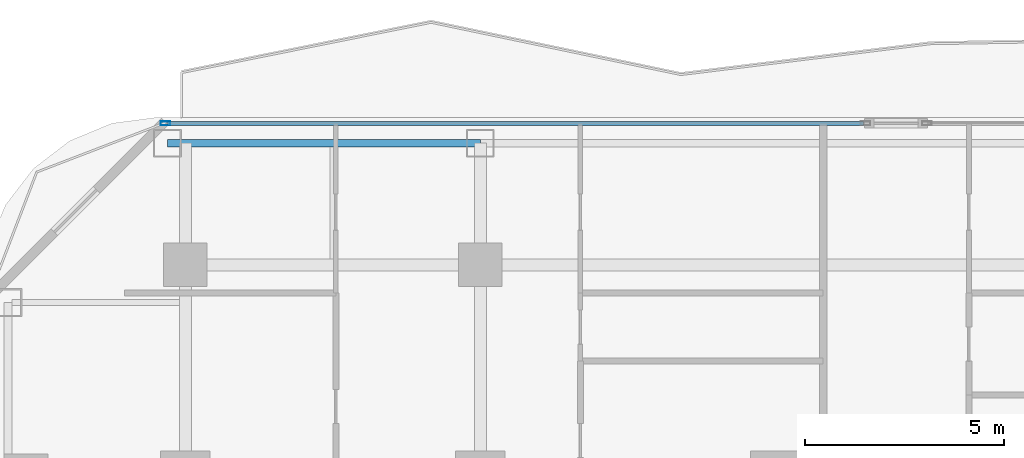
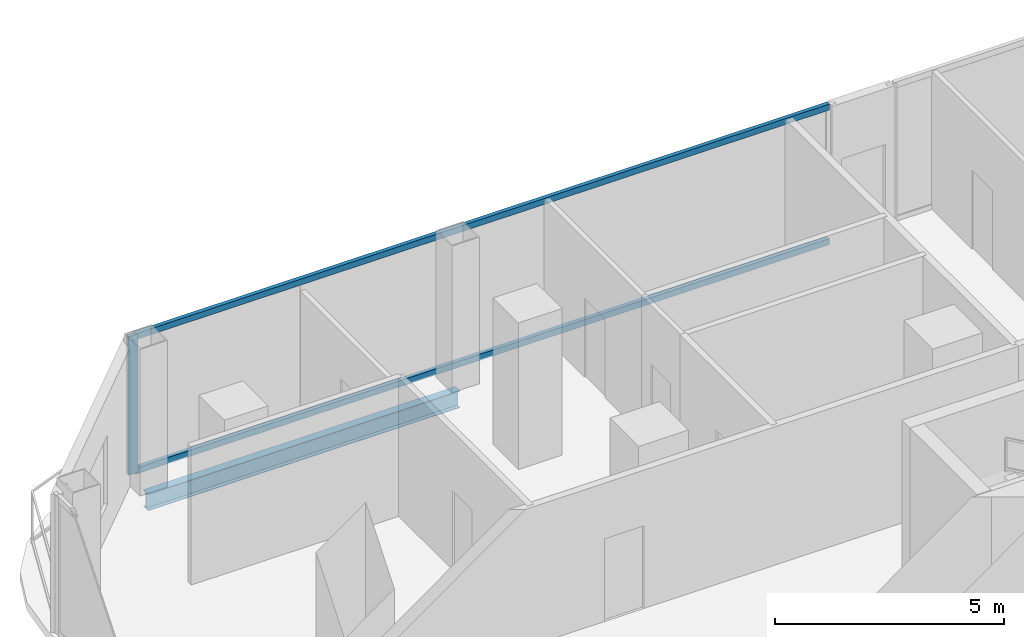
# One storey, part 14 of 29: 3 members, 1 beam, 1 element without a shape of its own.
"""IFC4 building model written with IfcOpenShell, lengths in metres."""

from ifc_helpers import new_model, si_unit, direction, frame, origin, origin_2d, place, context, subcontext, project, spatial, hollow_rectangle, i_section, extrude, material, layer, layer_set, material_profile, profile_set, type_object, element, aggregate, save


model = new_model("IFC4")

# Units and contexts
model_context = context("Model", 3, precision=1e-05, world=origin(), true_north=direction((0.0, 1.0)))
body_context = subcontext(model_context, "Body", "Model", "MODEL_VIEW")
ifc_project = project(units=[si_unit("LENGTHUNIT", "METRE"), si_unit("AREAUNIT", "SQUARE_METRE"), si_unit("VOLUMEUNIT", "CUBIC_METRE"), si_unit("PLANEANGLEUNIT", "RADIAN"), si_unit("MASSUNIT", "GRAM", prefix="KILO")], contexts=[model_context])

# Site, building, storey
site_placement = place(None, origin())
site = spatial("IfcSite", under=ifc_project, at=site_placement, CompositionType="ELEMENT")
building_placement = place(site_placement, origin())
building = spatial("IfcBuilding", under=site, at=building_placement, Name="Khorvyn Point Tower", CompositionType="ELEMENT")
storey_placement = place(building_placement, frame((0.0, 0.0, 140.699951171875)))
storey = spatial("IfcBuildingStorey", under=building, at=storey_placement, Name="L35", CompositionType="ELEMENT", Elevation=140.699951171875)

# Curtain wall, members
ifc_material_1 = material(Name="Anodised aluminium 6063-T6 and laminated Low-E glass", Category="aluminium")
ifc_layer = layer(ifc_material_1, 0.18994140625)
ifc_layer_set = layer_set([ifc_layer], Name="Stick-Built Acoustic Curtain Wall CW-SYS-03")
curtain_wall_type = type_object("IfcCurtainWallType", Name="Stick-Built Acoustic Curtain Wall CW-SYS-03", PredefinedType="NOTDEFINED", material=ifc_layer_set)
curtain_wall_placement = place(storey_placement, origin())
curtain_wall = element("IfcCurtainWall", 1, at=curtain_wall_placement, inside=storey, type_object=curtain_wall_type, Name="Curtain Wall", PredefinedType="NOTDEFINED")
ifc_material_2 = material(Name="Anodised aluminium 6063-T6", Category="aluminium")
ifc_material_profile_1 = material_profile(ifc_material_2, hollow_rectangle(XDim=0.10009765625, YDim=0.239990234375, WallThickness=0.0048828125, at=origin_2d()))
ifc_profile_set_1 = profile_set([ifc_material_profile_1], Name="Anodised aluminium 6063-T6 ALU-MUL-100x240")
member_type_1 = type_object("IfcMemberType", Name="Anodised Aluminium 6063-T6 Mullion ALU-MUL-100x240", PredefinedType="MULLION", material=ifc_profile_set_1)
member_1_placement = place(storey_placement, frame((-15.300048828125, 23.64990234375, 0.0), z_axis=(0.0, 0.0, 1.0), x_axis=(0.0, 1.0, 0.0)))
member_1 = element("IfcMember", 2, at=member_1_placement, type_object=member_type_1, Name="Transom", PredefinedType="MULLION", context=body_context, shape_type="SweptSolid", body=[
    extrude(hollow_rectangle(XDim=0.10009765625, YDim=0.239990234375, WallThickness=0.0048828125, at=origin_2d()), origin(), (0.0, 0.0, 1.0), 3.679931640625),
])
ifc_material_profile_2 = material_profile(ifc_material_2, hollow_rectangle(XDim=0.10009765625, YDim=0.159912109375, WallThickness=0.00439453125, at=origin_2d()))
ifc_profile_set_2 = profile_set([ifc_material_profile_2], Name="Anodised aluminium 6063-T6 ALU-TRN-100x160")
member_type_2 = type_object("IfcMemberType", Name="Anodised Aluminium 6063-T6 Transom ALU-TRN-100x160", PredefinedType="USERDEFINED", material=ifc_profile_set_2)
member_2_placement = place(storey_placement, frame((-15.25, 23.64990234375, 0.050048828125), z_axis=(1.0, 0.0, 0.0), x_axis=(0.0, 1.0, 0.0)))
member_2 = element("IfcMember", 3, at=member_2_placement, type_object=member_type_2, Name="Transom", ObjectType="TRANSOM", PredefinedType="USERDEFINED", context=body_context, shape_type="SweptSolid", body=[
    extrude(hollow_rectangle(XDim=0.10009765625, YDim=0.159912109375, WallThickness=0.00439453125, at=origin_2d()), origin(), (0.0, 0.0, 1.0), 17.4619140625),
])
member_3_placement = place(storey_placement, frame((-15.25, 23.64990234375, 3.630126953125), z_axis=(1.0, 0.0, 0.0), x_axis=(0.0, 1.0, 0.0)))
member_3 = element("IfcMember", 4, at=member_3_placement, type_object=member_type_2, Name="Transom", ObjectType="TRANSOM", PredefinedType="USERDEFINED", context=body_context, shape_type="SweptSolid", body=[
    extrude(hollow_rectangle(XDim=0.10009765625, YDim=0.159912109375, WallThickness=0.00439453125, at=origin_2d()), origin(), (0.0, 0.0, 1.0), 17.4619140625),
])
aggregate(curtain_wall, [member_1, member_2, member_3])

# Beam
ifc_material_3 = material(Name="Steel S355", Category="steel")
ifc_material_profile_3 = material_profile(ifc_material_3, i_section(OverallWidth=0.199951171875, OverallDepth=0.449951171875, WebThickness=0.009033203125, FlangeThickness=0.013916015625, at=origin_2d()))
ifc_profile_set_3 = profile_set([ifc_material_profile_3], Name="Steel S355 H450x200x9x14")
beam_type = type_object("IfcBeamType", Name="Steel S355 Spandrel H450x200x9x14", PredefinedType="SPANDREL", material=ifc_profile_set_3)
beam_placement = place(storey_placement, frame((-15.25, 23.14990234375, -0.445068359375), z_axis=(1.0, 0.0, 0.0), x_axis=(0.0, 1.0, 0.0)))
element("IfcBeam", 5, at=beam_placement, inside=storey, type_object=beam_type, Name="Beam", PredefinedType="SPANDREL", context=body_context, shape_type="SweptSolid", body=[
    extrude(i_section(OverallWidth=0.199951171875, OverallDepth=0.449951171875, WebThickness=0.009033203125, FlangeThickness=0.013916015625, at=origin_2d()), origin(), (0.0, 0.0, 1.0), 7.85009765625),
])

save(model, "model.ifc")
